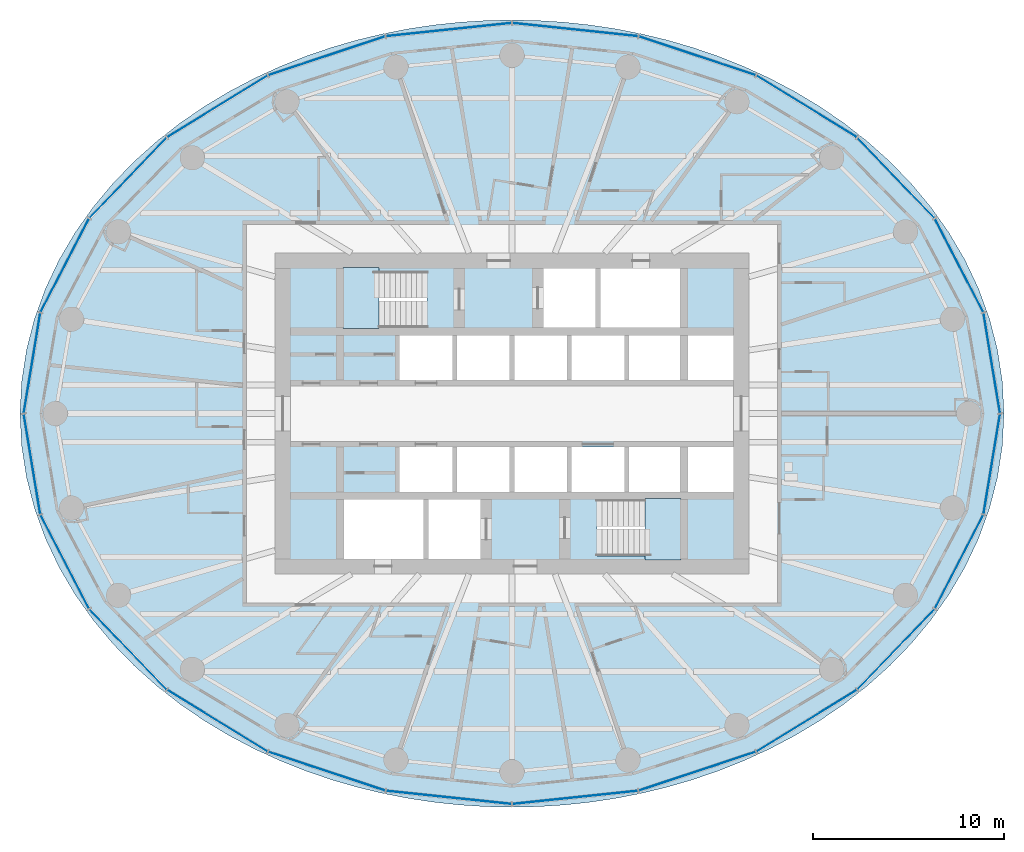
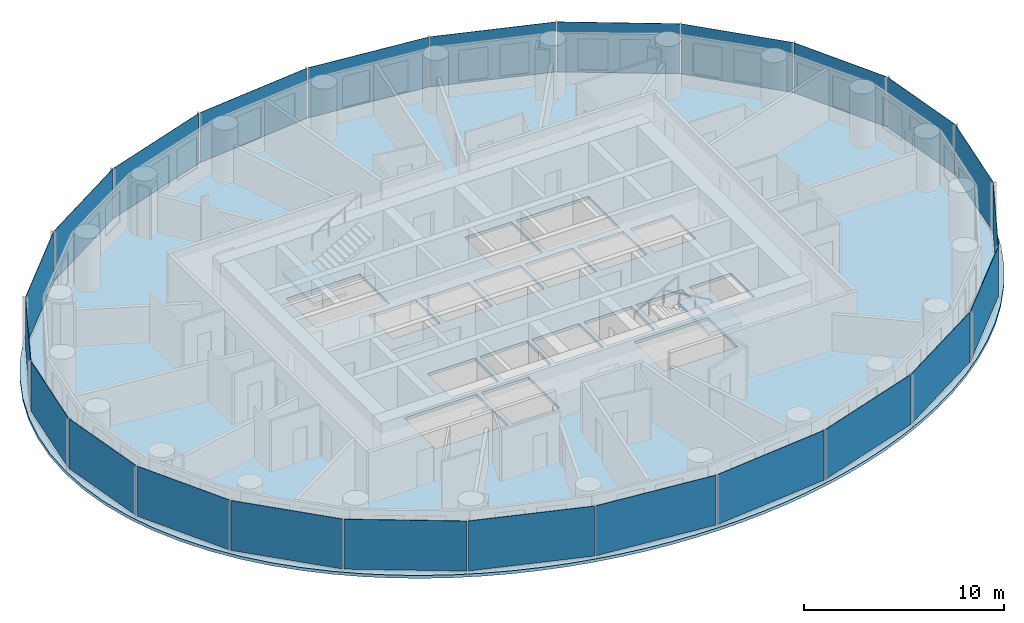
# One storey, part 5 of 13: 24 plates, 3 slabs, 6 elements without a shape of their own.
"""IFC4 building model written with IfcOpenShell, lengths in metres."""

from ifc_helpers import new_model, si_unit, direction, frame, origin, origin_2d, place, context, subcontext, project, spatial, polyline, rectangle, outline, extrude, material, layer, layer_set, type_object, element, aggregate, save


model = new_model("IFC4")

# Units and contexts
model_context = context("Model", 3, precision=1e-05, world=origin(), true_north=direction((0.0, 1.0)))
body_context = subcontext(model_context, "Body", "Model", "MODEL_VIEW")
ifc_project = project(units=[si_unit("LENGTHUNIT", "METRE"), si_unit("AREAUNIT", "SQUARE_METRE"), si_unit("VOLUMEUNIT", "CUBIC_METRE"), si_unit("PLANEANGLEUNIT", "RADIAN"), si_unit("MASSUNIT", "GRAM", prefix="KILO")], contexts=[model_context])

# Site, building, storey
site_placement = place(None, origin())
site = spatial("IfcSite", under=ifc_project, at=site_placement, CompositionType="ELEMENT")
building_placement = place(site_placement, origin())
building = spatial("IfcBuilding", under=site, at=building_placement, Name="Hankou Lantern Tower", CompositionType="ELEMENT")
storey_placement = place(building_placement, frame((0.0, 0.0, 105.60009765625)))
storey = spatial("IfcBuildingStorey", under=building, at=storey_placement, Name="L26", CompositionType="ELEMENT", Elevation=105.60009765625)

# Curtain wall, plates
ifc_material_1 = material(Name="Glass, dark grey tinted laminated", Category="glass")
curtain_wall_type = type_object("IfcCurtainWallType", Name="CWB OUTER SKIN MID-RISE", PredefinedType="USERDEFINED", material=ifc_material_1)
curtain_wall_1_placement = place(storey_placement, origin())
curtain_wall_1 = element("IfcCurtainWall", 1, at=curtain_wall_1_placement, inside=storey, type_object=curtain_wall_type, Name="CWB L26 OS1", ObjectType="OUTER SKIN MID-RISE", PredefinedType="USERDEFINED")
ifc_material_2 = material(Name="Glass, dark grey tinted laminated", Category="glass")
ifc_layer_1 = layer(ifc_material_2, 0.02392578125)
ifc_layer_set_1 = layer_set([ifc_layer_1], Name="Glass, dark grey tinted laminated")
plate_type = type_object("IfcPlateType", Name="PN1 OUTER SKIN GLASS PANEL", PredefinedType="CURTAIN_PANEL", material=ifc_layer_set_1)
plate_1_placement = place(storey_placement, frame((25.11474609375, 2.64501953125, 0.079833984375), z_axis=(0.0, 0.0, 1.0), x_axis=(-0.162381515188, 0.986728049427, 0.0)))
plate_1 = element("IfcPlate", 2, at=plate_1_placement, type_object=plate_type, Name="CWB glass panel 1", PredefinedType="CURTAIN_PANEL", context=body_context, shape_type="SweptSolid", body=[
    extrude(rectangle(XDim=5.281494140625, YDim=0.02392578125, at=origin_2d()), origin(), (0.0, 0.0, 1.0), 3.0400390625),
])
plate_2_placement = place(storey_placement, frame((23.403076171875, 7.755126953125, 0.079833984375), z_axis=(0.0, 0.0, 1.0), x_axis=(-0.459791091957, 0.888027112062, 0.0)))
plate_2 = element("IfcPlate", 3, at=plate_2_placement, type_object=plate_type, Name="CWB glass panel 2", PredefinedType="CURTAIN_PANEL", context=body_context, shape_type="SweptSolid", body=[
    extrude(rectangle(XDim=5.471435546875, YDim=0.02392578125, at=origin_2d()), origin(), (0.0, 0.0, 1.0), 3.0400390625),
])
plate_3_placement = place(storey_placement, frame((20.0966796875, 12.336669921875, 0.079833984375), z_axis=(0.0, 0.0, 1.0), x_axis=(-0.692215809936, 0.721690565599, 0.0)))
plate_3 = element("IfcPlate", 4, at=plate_3_placement, type_object=plate_type, Name="CWB glass panel 3", PredefinedType="CURTAIN_PANEL", context=body_context, shape_type="SweptSolid", body=[
    extrude(rectangle(XDim=5.78564453125, YDim=0.02392578125, at=origin_2d()), origin(), (0.0, 0.0, 1.0), 3.0400390625),
])
plate_4_placement = place(storey_placement, frame((15.4208984375, 16.077392578125, 0.079833984375), z_axis=(0.0, 0.0, 1.0), x_axis=(-0.852237151549, 0.523155653242, 0.0)))
plate_4 = element("IfcPlate", 5, at=plate_4_placement, type_object=plate_type, Name="CWB glass panel 4", PredefinedType="CURTAIN_PANEL", context=body_context, shape_type="SweptSolid", body=[
    extrude(rectangle(XDim=6.129150390625, YDim=0.02392578125, at=origin_2d()), origin(), (0.0, 0.0, 1.0), 3.0400390625),
])
plate_5_placement = place(storey_placement, frame((9.69384765625, 18.72265625, 0.079833984375), z_axis=(0.0, 0.0, 1.0), x_axis=(-0.949240677293, 0.31455068999, 0.0)))
plate_5 = element("IfcPlate", 6, at=plate_5_placement, type_object=plate_type, Name="CWB glass panel 5", PredefinedType="CURTAIN_PANEL", context=body_context, shape_type="SweptSolid", body=[
    extrude(rectangle(XDim=6.41162109375, YDim=0.02392578125, at=origin_2d()), origin(), (0.0, 0.0, 1.0), 3.0400390625),
])
plate_6_placement = place(storey_placement, frame((3.306396484375, 20.091796875, 0.079833984375), z_axis=(0.0, 0.0, 1.0), x_axis=(-0.994499359107, 0.104742659579, 0.0)))
plate_6 = element("IfcPlate", 7, at=plate_6_placement, type_object=plate_type, Name="CWB glass panel 6", PredefinedType="CURTAIN_PANEL", context=body_context, shape_type="SweptSolid", body=[
    extrude(rectangle(XDim=6.5693359375, YDim=0.02392578125, at=origin_2d()), origin(), (0.0, 0.0, 1.0), 3.0400390625),
])
aggregate(curtain_wall_1, [plate_1, plate_2, plate_3, plate_4, plate_5, plate_6])

curtain_wall_2_placement = place(storey_placement, origin())
curtain_wall_2 = element("IfcCurtainWall", 8, at=curtain_wall_2_placement, inside=storey, type_object=curtain_wall_type, Name="CWB L26 OS2", ObjectType="OUTER SKIN MID-RISE", PredefinedType="USERDEFINED")
plate_7_placement = place(storey_placement, frame((-3.306396484375, 20.091796875, 0.079833984375), z_axis=(0.0, 0.0, 1.0), x_axis=(-0.994499359107, -0.104742659579, 0.0)))
plate_7 = element("IfcPlate", 9, at=plate_7_placement, type_object=plate_type, Name="CWB glass panel 1", PredefinedType="CURTAIN_PANEL", context=body_context, shape_type="SweptSolid", body=[
    extrude(rectangle(XDim=6.5693359375, YDim=0.02392578125, at=origin_2d()), origin(), (0.0, 0.0, 1.0), 3.0400390625),
])
plate_8_placement = place(storey_placement, frame((-9.69384765625, 18.72265625, 0.079833984375), z_axis=(0.0, 0.0, 1.0), x_axis=(-0.949240677293, -0.31455068999, 0.0)))
plate_8 = element("IfcPlate", 10, at=plate_8_placement, type_object=plate_type, Name="CWB glass panel 2", PredefinedType="CURTAIN_PANEL", context=body_context, shape_type="SweptSolid", body=[
    extrude(rectangle(XDim=6.41162109375, YDim=0.02392578125, at=origin_2d()), origin(), (0.0, 0.0, 1.0), 3.0400390625),
])
plate_9_placement = place(storey_placement, frame((-15.4208984375, 16.077392578125, 0.079833984375), z_axis=(0.0, 0.0, 1.0), x_axis=(-0.852237151549, -0.523155653242, 0.0)))
plate_9 = element("IfcPlate", 11, at=plate_9_placement, type_object=plate_type, Name="CWB glass panel 3", PredefinedType="CURTAIN_PANEL", context=body_context, shape_type="SweptSolid", body=[
    extrude(rectangle(XDim=6.129150390625, YDim=0.02392578125, at=origin_2d()), origin(), (0.0, 0.0, 1.0), 3.0400390625),
])
plate_10_placement = place(storey_placement, frame((-20.0966796875, 12.336669921875, 0.079833984375), z_axis=(0.0, 0.0, 1.0), x_axis=(-0.692215809936, -0.721690565599, 0.0)))
plate_10 = element("IfcPlate", 12, at=plate_10_placement, type_object=plate_type, Name="CWB glass panel 4", PredefinedType="CURTAIN_PANEL", context=body_context, shape_type="SweptSolid", body=[
    extrude(rectangle(XDim=5.78564453125, YDim=0.02392578125, at=origin_2d()), origin(), (0.0, 0.0, 1.0), 3.0400390625),
])
plate_11_placement = place(storey_placement, frame((-23.403076171875, 7.755126953125, 0.079833984375), z_axis=(0.0, 0.0, 1.0), x_axis=(-0.459791091957, -0.888027112062, 0.0)))
plate_11 = element("IfcPlate", 13, at=plate_11_placement, type_object=plate_type, Name="CWB glass panel 5", PredefinedType="CURTAIN_PANEL", context=body_context, shape_type="SweptSolid", body=[
    extrude(rectangle(XDim=5.471435546875, YDim=0.02392578125, at=origin_2d()), origin(), (0.0, 0.0, 1.0), 3.0400390625),
])
plate_12_placement = place(storey_placement, frame((-25.11474609375, 2.64501953125, 0.079833984375), z_axis=(0.0, 0.0, 1.0), x_axis=(-0.162381515188, -0.986728049427, 0.0)))
plate_12 = element("IfcPlate", 14, at=plate_12_placement, type_object=plate_type, Name="CWB glass panel 6", PredefinedType="CURTAIN_PANEL", context=body_context, shape_type="SweptSolid", body=[
    extrude(rectangle(XDim=5.281494140625, YDim=0.02392578125, at=origin_2d()), origin(), (0.0, 0.0, 1.0), 3.0400390625),
])
aggregate(curtain_wall_2, [plate_7, plate_8, plate_9, plate_10, plate_11, plate_12])

curtain_wall_3_placement = place(storey_placement, origin())
curtain_wall_3 = element("IfcCurtainWall", 15, at=curtain_wall_3_placement, inside=storey, type_object=curtain_wall_type, Name="CWB L26 OS3", ObjectType="OUTER SKIN MID-RISE", PredefinedType="USERDEFINED")
plate_13_placement = place(storey_placement, frame((-25.11474609375, -2.64501953125, 0.079833984375), z_axis=(0.0, 0.0, 1.0), x_axis=(0.162381515188, -0.986728049427, 0.0)))
plate_13 = element("IfcPlate", 16, at=plate_13_placement, type_object=plate_type, Name="CWB glass panel 1", PredefinedType="CURTAIN_PANEL", context=body_context, shape_type="SweptSolid", body=[
    extrude(rectangle(XDim=5.281494140625, YDim=0.02392578125, at=origin_2d()), origin(), (0.0, 0.0, 1.0), 3.0400390625),
])
plate_14_placement = place(storey_placement, frame((-23.403076171875, -7.755126953125, 0.079833984375), z_axis=(0.0, 0.0, 1.0), x_axis=(0.459791091957, -0.888027112062, 0.0)))
plate_14 = element("IfcPlate", 17, at=plate_14_placement, type_object=plate_type, Name="CWB glass panel 2", PredefinedType="CURTAIN_PANEL", context=body_context, shape_type="SweptSolid", body=[
    extrude(rectangle(XDim=5.471435546875, YDim=0.02392578125, at=origin_2d()), origin(), (0.0, 0.0, 1.0), 3.0400390625),
])
plate_15_placement = place(storey_placement, frame((-20.0966796875, -12.336669921875, 0.079833984375), z_axis=(0.0, 0.0, 1.0), x_axis=(0.692215809936, -0.721690565599, 0.0)))
plate_15 = element("IfcPlate", 18, at=plate_15_placement, type_object=plate_type, Name="CWB glass panel 3", PredefinedType="CURTAIN_PANEL", context=body_context, shape_type="SweptSolid", body=[
    extrude(rectangle(XDim=5.78564453125, YDim=0.02392578125, at=origin_2d()), origin(), (0.0, 0.0, 1.0), 3.0400390625),
])
plate_16_placement = place(storey_placement, frame((-15.4208984375, -16.077392578125, 0.079833984375), z_axis=(0.0, 0.0, 1.0), x_axis=(0.852237151549, -0.523155653242, 0.0)))
plate_16 = element("IfcPlate", 19, at=plate_16_placement, type_object=plate_type, Name="CWB glass panel 4", PredefinedType="CURTAIN_PANEL", context=body_context, shape_type="SweptSolid", body=[
    extrude(rectangle(XDim=6.129150390625, YDim=0.02392578125, at=origin_2d()), origin(), (0.0, 0.0, 1.0), 3.0400390625),
])
plate_17_placement = place(storey_placement, frame((-9.69384765625, -18.72265625, 0.079833984375), z_axis=(0.0, 0.0, 1.0), x_axis=(0.949240677293, -0.31455068999, 0.0)))
plate_17 = element("IfcPlate", 20, at=plate_17_placement, type_object=plate_type, Name="CWB glass panel 5", PredefinedType="CURTAIN_PANEL", context=body_context, shape_type="SweptSolid", body=[
    extrude(rectangle(XDim=6.41162109375, YDim=0.02392578125, at=origin_2d()), origin(), (0.0, 0.0, 1.0), 3.0400390625),
])
plate_18_placement = place(storey_placement, frame((-3.306396484375, -20.091796875, 0.079833984375), z_axis=(0.0, 0.0, 1.0), x_axis=(0.994499359107, -0.104742659579, 0.0)))
plate_18 = element("IfcPlate", 21, at=plate_18_placement, type_object=plate_type, Name="CWB glass panel 6", PredefinedType="CURTAIN_PANEL", context=body_context, shape_type="SweptSolid", body=[
    extrude(rectangle(XDim=6.5693359375, YDim=0.02392578125, at=origin_2d()), origin(), (0.0, 0.0, 1.0), 3.0400390625),
])
aggregate(curtain_wall_3, [plate_13, plate_14, plate_15, plate_16, plate_17, plate_18])

curtain_wall_4_placement = place(storey_placement, origin())
curtain_wall_4 = element("IfcCurtainWall", 22, at=curtain_wall_4_placement, inside=storey, type_object=curtain_wall_type, Name="CWB L26 OS4", ObjectType="OUTER SKIN MID-RISE", PredefinedType="USERDEFINED")
plate_19_placement = place(storey_placement, frame((3.306396484375, -20.091796875, 0.079833984375), z_axis=(0.0, 0.0, 1.0), x_axis=(0.994499359107, 0.104742659579, 0.0)))
plate_19 = element("IfcPlate", 23, at=plate_19_placement, type_object=plate_type, Name="CWB glass panel 1", PredefinedType="CURTAIN_PANEL", context=body_context, shape_type="SweptSolid", body=[
    extrude(rectangle(XDim=6.5693359375, YDim=0.02392578125, at=origin_2d()), origin(), (0.0, 0.0, 1.0), 3.0400390625),
])
plate_20_placement = place(storey_placement, frame((9.69384765625, -18.72265625, 0.079833984375), z_axis=(0.0, 0.0, 1.0), x_axis=(0.949240677293, 0.31455068999, 0.0)))
plate_20 = element("IfcPlate", 24, at=plate_20_placement, type_object=plate_type, Name="CWB glass panel 2", PredefinedType="CURTAIN_PANEL", context=body_context, shape_type="SweptSolid", body=[
    extrude(rectangle(XDim=6.41162109375, YDim=0.02392578125, at=origin_2d()), origin(), (0.0, 0.0, 1.0), 3.0400390625),
])
plate_21_placement = place(storey_placement, frame((15.4208984375, -16.077392578125, 0.079833984375), z_axis=(0.0, 0.0, 1.0), x_axis=(0.852237151549, 0.523155653242, 0.0)))
plate_21 = element("IfcPlate", 25, at=plate_21_placement, type_object=plate_type, Name="CWB glass panel 3", PredefinedType="CURTAIN_PANEL", context=body_context, shape_type="SweptSolid", body=[
    extrude(rectangle(XDim=6.129150390625, YDim=0.02392578125, at=origin_2d()), origin(), (0.0, 0.0, 1.0), 3.0400390625),
])
plate_22_placement = place(storey_placement, frame((20.0966796875, -12.336669921875, 0.079833984375), z_axis=(0.0, 0.0, 1.0), x_axis=(0.692215809936, 0.721690565599, 0.0)))
plate_22 = element("IfcPlate", 26, at=plate_22_placement, type_object=plate_type, Name="CWB glass panel 4", PredefinedType="CURTAIN_PANEL", context=body_context, shape_type="SweptSolid", body=[
    extrude(rectangle(XDim=5.78564453125, YDim=0.02392578125, at=origin_2d()), origin(), (0.0, 0.0, 1.0), 3.0400390625),
])
plate_23_placement = place(storey_placement, frame((23.403076171875, -7.755126953125, 0.079833984375), z_axis=(0.0, 0.0, 1.0), x_axis=(0.459791091957, 0.888027112062, 0.0)))
plate_23 = element("IfcPlate", 27, at=plate_23_placement, type_object=plate_type, Name="CWB glass panel 5", PredefinedType="CURTAIN_PANEL", context=body_context, shape_type="SweptSolid", body=[
    extrude(rectangle(XDim=5.471435546875, YDim=0.02392578125, at=origin_2d()), origin(), (0.0, 0.0, 1.0), 3.0400390625),
])
plate_24_placement = place(storey_placement, frame((25.11474609375, -2.64501953125, 0.079833984375), z_axis=(0.0, 0.0, 1.0), x_axis=(0.162381515188, 0.986728049427, 0.0)))
plate_24 = element("IfcPlate", 28, at=plate_24_placement, type_object=plate_type, Name="CWB glass panel 6", PredefinedType="CURTAIN_PANEL", context=body_context, shape_type="SweptSolid", body=[
    extrude(rectangle(XDim=5.281494140625, YDim=0.02392578125, at=origin_2d()), origin(), (0.0, 0.0, 1.0), 3.0400390625),
])
aggregate(curtain_wall_4, [plate_19, plate_20, plate_21, plate_22, plate_23, plate_24])

# Slab
ifc_material_3 = material(Name="Concrete C50", Category="concrete")
ifc_layer_2 = layer(ifc_material_3, 0.179931640625)
ifc_layer_set_2 = layer_set([ifc_layer_2], Name="Concrete C50")
slab_type_1 = type_object("IfcSlabType", Name="S1 CONCRETE FLOOR SLAB 180", PredefinedType="FLOOR", material=ifc_layer_set_2)
slab_1_placement = place(storey_placement, frame((0.0, 0.0, -0.18017578125)))
element("IfcSlab", 29, at=slab_1_placement, inside=storey, type_object=slab_type_1, Name="Floor slab L26", PredefinedType="FLOOR", context=body_context, shape_type="SweptSolid", body=[
    extrude(outline(polyline([(25.75, 0.0), (25.6640625, 1.68212890625), (25.408203125, 3.344970703125), (24.9892578125, 4.970703125), (24.416748046875, 6.54248046875), (23.704345703125, 8.046630859375), (22.86669921875, 9.4716796875), (21.919921875, 10.809814453125), (20.88037109375, 12.05517578125), (19.763427734375, 13.205322265625), (18.58349609375, 14.259765625), (17.35400390625, 15.218994140625), (16.0859375, 16.0859375), (14.7890625, 16.863525390625), (13.47119140625, 17.55615234375), (12.138916015625, 18.167236328125), (10.79736328125, 18.701416015625), (9.449951171875, 19.16259765625), (8.099609375, 19.554443359375), (6.748291015625, 19.8798828125), (5.397216796875, 20.142333984375), (4.046630859375, 20.343994140625), (2.697021484375, 20.486572265625), (1.348388671875, 20.57177734375), (0.0, 20.60009765625), (-1.348388671875, 20.57177734375), (-2.697021484375, 20.486572265625), (-4.046630859375, 20.343994140625), (-5.397216796875, 20.142333984375), (-6.748291015625, 19.8798828125), (-8.099609375, 19.554443359375), (-9.449951171875, 19.16259765625), (-10.79736328125, 18.701416015625), (-12.138916015625, 18.167236328125), (-13.47119140625, 17.55615234375), (-14.7890625, 16.863525390625), (-16.0859375, 16.0859375), (-17.35400390625, 15.218994140625), (-18.58349609375, 14.259765625), (-19.763427734375, 13.205322265625), (-20.88037109375, 12.05517578125), (-21.919921875, 10.809814453125), (-22.86669921875, 9.4716796875), (-23.704345703125, 8.046630859375), (-24.416748046875, 6.54248046875), (-24.9892578125, 4.970703125), (-25.408203125, 3.344970703125), (-25.6640625, 1.68212890625), (-25.75, 0.0), (-25.6640625, -1.68212890625), (-25.408203125, -3.344970703125), (-24.9892578125, -4.970703125), (-24.416748046875, -6.54248046875), (-23.704345703125, -8.046630859375), (-22.86669921875, -9.4716796875), (-21.919921875, -10.809814453125), (-20.88037109375, -12.05517578125), (-19.763427734375, -13.205322265625), (-18.58349609375, -14.259765625), (-17.35400390625, -15.218994140625), (-16.0859375, -16.0859375), (-14.7890625, -16.863525390625), (-13.47119140625, -17.55615234375), (-12.138916015625, -18.167236328125), (-10.79736328125, -18.701416015625), (-9.449951171875, -19.16259765625), (-8.099609375, -19.554443359375), (-6.748291015625, -19.8798828125), (-5.397216796875, -20.142333984375), (-4.046630859375, -20.343994140625), (-2.697021484375, -20.486572265625), (-1.348388671875, -20.57177734375), (0.0, -20.60009765625), (1.348388671875, -20.57177734375), (2.697021484375, -20.486572265625), (4.046630859375, -20.343994140625), (5.397216796875, -20.142333984375), (6.748291015625, -19.8798828125), (8.099609375, -19.554443359375), (9.449951171875, -19.16259765625), (10.79736328125, -18.701416015625), (12.138916015625, -18.167236328125), (13.47119140625, -17.55615234375), (14.7890625, -16.863525390625), (16.0859375, -16.0859375), (17.35400390625, -15.218994140625), (18.58349609375, -14.259765625), (19.763427734375, -13.205322265625), (20.88037109375, -12.05517578125), (21.919921875, -10.809814453125), (22.86669921875, -9.4716796875), (23.704345703125, -8.046630859375), (24.416748046875, -6.54248046875), (24.9892578125, -4.970703125), (25.408203125, -3.344970703125), (25.6640625, -1.68212890625), (25.75, 0.0)]), holes=[polyline([(-5.875, 4.10009765625), (-3.125, 4.10009765625), (-3.125, 1.75), (-5.875, 1.75), (-5.875, 4.10009765625)]), polyline([(-2.875, 4.10009765625), (-0.125, 4.10009765625), (-0.125, 1.75), (-2.875, 1.75), (-2.875, 4.10009765625)]), polyline([(0.125, 4.10009765625), (2.875, 4.10009765625), (2.875, 1.75), (0.125, 1.75), (0.125, 4.10009765625)]), polyline([(3.125, 4.10009765625), (5.875, 4.10009765625), (5.875, 1.75), (3.125, 1.75), (3.125, 4.10009765625)]), polyline([(6.125, 4.10009765625), (8.800048828125, 4.10009765625), (8.800048828125, 1.75), (6.125, 1.75), (6.125, 4.10009765625)]), polyline([(9.199951171875, 4.10009765625), (11.60009765625, 4.10009765625), (11.60009765625, 1.75), (9.199951171875, 1.75), (9.199951171875, 4.10009765625)]), polyline([(-5.875, -1.75), (-3.125, -1.75), (-3.125, -4.10009765625), (-5.875, -4.10009765625), (-5.875, -1.75)]), polyline([(-2.875, -1.75), (-0.125, -1.75), (-0.125, -4.10009765625), (-2.875, -4.10009765625), (-2.875, -1.75)]), polyline([(0.125, -1.75), (2.875, -1.75), (2.875, -4.10009765625), (0.125, -4.10009765625), (0.125, -1.75)]), polyline([(3.125, -1.75), (5.875, -1.75), (5.875, -4.10009765625), (3.125, -4.10009765625), (3.125, -1.75)]), polyline([(6.125, -1.75), (8.800048828125, -1.75), (8.800048828125, -4.10009765625), (6.125, -4.10009765625), (6.125, -1.75)]), polyline([(9.199951171875, -1.75), (11.60009765625, -1.75), (11.60009765625, -4.10009765625), (9.199951171875, -4.10009765625), (9.199951171875, -1.75)]), polyline([(1.64990234375, 7.60009765625), (4.375, 7.60009765625), (4.375, 4.5), (1.64990234375, 4.5), (1.64990234375, 7.60009765625)]), polyline([(-4.375, -4.5), (-1.64990234375, -4.5), (-1.64990234375, -7.60009765625), (-4.375, -7.60009765625), (-4.375, -4.5)]), polyline([(-8.699951171875, 7.449951171875), (-4.449951171875, 7.449951171875), (-4.449951171875, 4.5), (-8.699951171875, 4.5), (-8.699951171875, 7.449951171875)]), polyline([(4.449951171875, -4.5), (8.699951171875, -4.5), (8.699951171875, -7.449951171875), (4.449951171875, -7.449951171875), (4.449951171875, -4.5)]), polyline([(4.625, 7.60009765625), (8.800048828125, 7.60009765625), (8.800048828125, 4.5), (4.625, 4.5), (4.625, 7.60009765625)]), polyline([(-8.800048828125, -4.5), (-4.625, -4.5), (-4.625, -7.60009765625), (-8.800048828125, -7.60009765625), (-8.800048828125, -4.5)])]), origin(), (0.0, 0.0, 1.0), 0.18017578125),
])

# Stair, slab
ifc_material_4 = material(Name="Concrete C40", Category="concrete")
stair_type = type_object("IfcStairType", Name="ST33 CORE STAIR 3300 RISE", PredefinedType="HALF_TURN_STAIR", material=ifc_material_4)
stair_1_placement = place(storey_placement, origin())
stair_1 = element("IfcStair", 30, at=stair_1_placement, inside=storey, type_object=stair_type, Name="Stair STA L26", PredefinedType="HALF_TURN_STAIR")
ifc_material_5 = material(Name="Concrete C40", Category="concrete")
ifc_layer_3 = layer(ifc_material_5, 0.199951171875)
ifc_layer_set_3 = layer_set([ifc_layer_3], Name="Concrete C40")
slab_type_2 = type_object("IfcSlabType", Name="SL1 STAIR LANDING 200", PredefinedType="LANDING", material=ifc_layer_set_3)
slab_2_placement = place(storey_placement, frame((0.0, 0.0, 1.371337890625)))
slab_2 = element("IfcSlab", 31, at=slab_2_placement, type_object=slab_type_2, Name="STA landing 1", PredefinedType="LANDING", context=body_context, shape_type="SweptSolid", body=[
    extrude(outline(polyline([(-8.85009765625, 4.449951171875), (-6.949951171875, 4.449951171875), (-6.949951171875, 7.64990234375), (-8.85009765625, 7.64990234375), (-8.85009765625, 4.449951171875)])), origin(), (0.0, 0.0, 1.0), 0.199951171875),
])
aggregate(stair_1, [slab_2])

stair_2_placement = place(storey_placement, origin())
stair_2 = element("IfcStair", 32, at=stair_2_placement, inside=storey, type_object=stair_type, Name="Stair STB L26", PredefinedType="HALF_TURN_STAIR")
slab_3_placement = place(storey_placement, frame((0.0, 0.0, 1.371337890625)))
slab_3 = element("IfcSlab", 33, at=slab_3_placement, type_object=slab_type_2, Name="STB landing 1", PredefinedType="LANDING", context=body_context, shape_type="SweptSolid", body=[
    extrude(outline(polyline([(8.85009765625, -4.449951171875), (6.949951171875, -4.449951171875), (6.949951171875, -7.64990234375), (8.85009765625, -7.64990234375), (8.85009765625, -4.449951171875)])), origin(), (0.0, 0.0, 1.0), 0.199951171875),
])
aggregate(stair_2, [slab_3])

save(model, "model.ifc")
